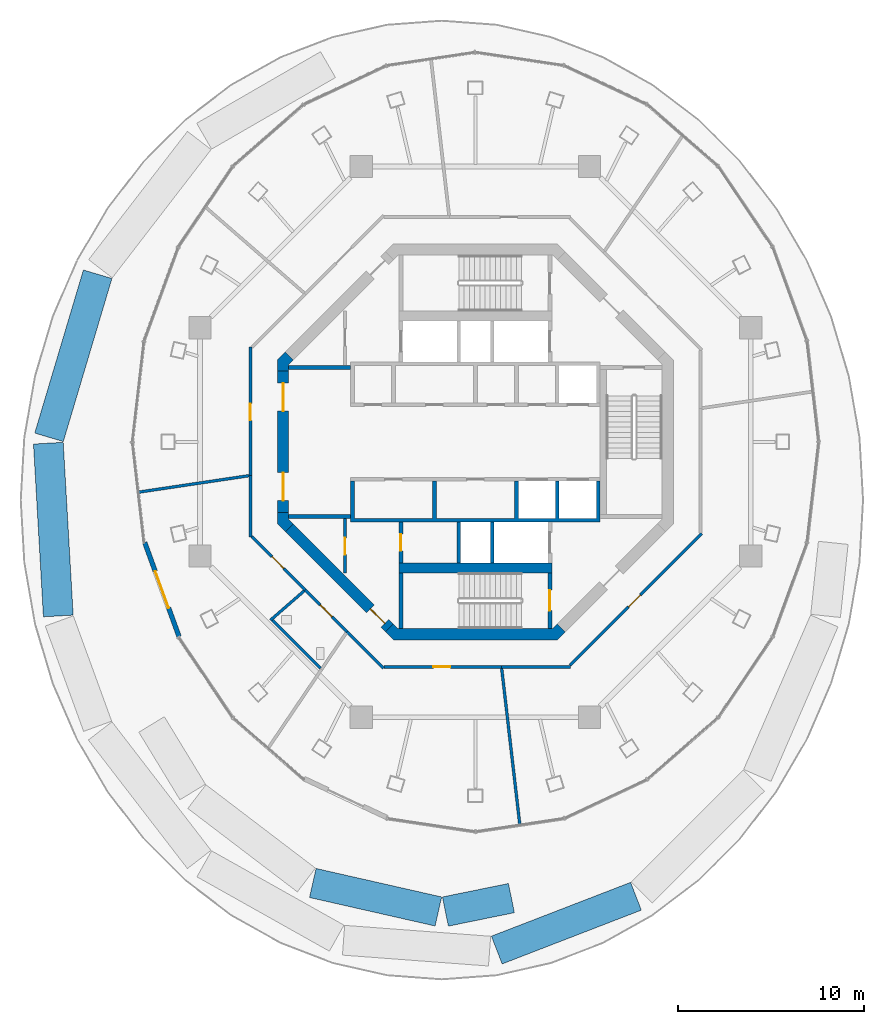
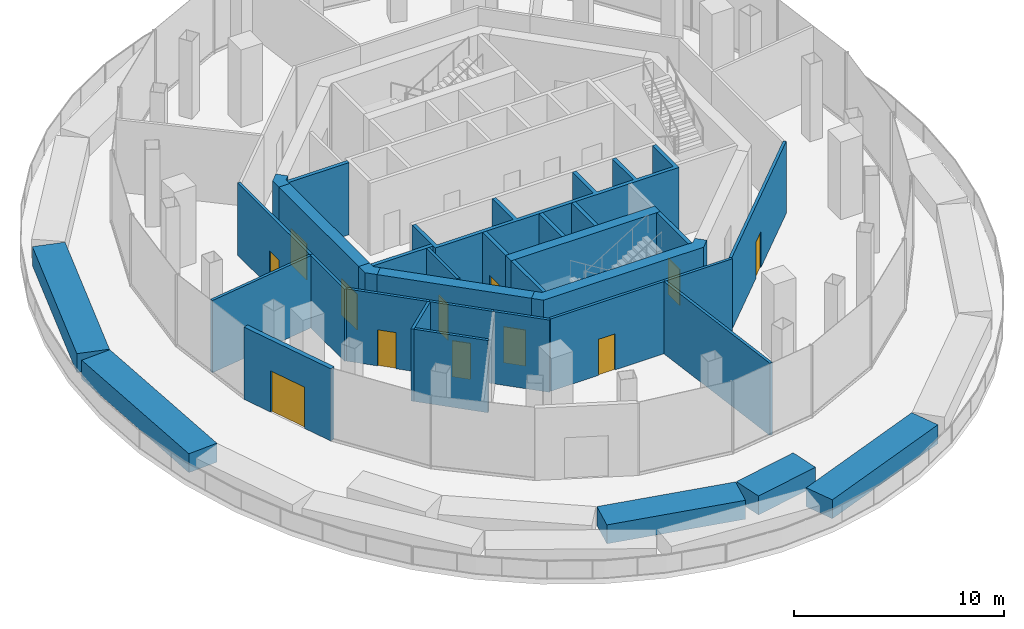
# One storey, part 7 of 12: 33 walls, 12 doors, 12 openings.
"""IFC4 building model written with IfcOpenShell, lengths in metres."""

from ifc_helpers import new_model, si_unit, direction, frame, frame_2d, origin, place, context, subcontext, project, spatial, polyline, rectangle, outline, extrude, material, layer, layer_set, type_object, element, fill, save


model = new_model("IFC4")

# Units and contexts
model_context = context("Model", 3, precision=1e-05, world=origin(), true_north=direction((0.0, 1.0)))
body_context = subcontext(model_context, "Body", "Model", "MODEL_VIEW")
ifc_project = project(units=[si_unit("LENGTHUNIT", "METRE"), si_unit("AREAUNIT", "SQUARE_METRE"), si_unit("VOLUMEUNIT", "CUBIC_METRE"), si_unit("PLANEANGLEUNIT", "RADIAN"), si_unit("MASSUNIT", "GRAM", prefix="KILO")], contexts=[model_context])

# Site, building, storey
site_placement = place(None, origin())
site = spatial("IfcSite", under=ifc_project, at=site_placement, CompositionType="ELEMENT")
building_placement = place(site_placement, origin())
building = spatial("IfcBuilding", under=site, at=building_placement, Name="Nagisa Residences", CompositionType="ELEMENT")
storey_placement = place(building_placement, frame((0.0, 0.0, 315.89990234375)))
storey = spatial("IfcBuildingStorey", under=building, at=storey_placement, Name="L78", CompositionType="ELEMENT", Elevation=315.89990234375)

# Wall, opening, door
ifc_material_1 = material(Name="Precast concrete C40/50", Category="concrete")
ifc_layer_1 = layer(ifc_material_1, 0.25)
ifc_layer_set_1 = layer_set([ifc_layer_1], Name="BALCONY DOOR WALL 250")
wall_type_1 = type_object("IfcWallType", Name="BALCONY DOOR WALL 250", PredefinedType="SOLIDWALL", material=ifc_layer_set_1)
wall_1_placement = place(storey_placement, frame((-15.904052734375, -10.45703125, 0.0), z_axis=(0.0, 0.0, 1.0), x_axis=(-0.342797263009, 0.939409408338, 0.0)))
wall_1 = element("IfcWall", 1, at=wall_1_placement, inside=storey, type_object=wall_type_1, Name="wall:L78:bay13", PredefinedType="SOLIDWALL", context=body_context, shape_type="SweptSolid", body=[
    extrude(rectangle(XDim=5.391357421875, YDim=0.25, at=frame_2d((2.69580078125, 0.0))), origin(), (0.0, 0.0, 1.0), 4.2001953125),
])
opening_1_placement = place(wall_1_placement, frame((1.645751953125, 0.0, 0.0)))
opening_1 = element("IfcOpeningElement", 2, at=opening_1_placement, cuts=wall_1, Name="Opening BD-L78-02", PredefinedType="OPENING", context=body_context, shape_type="SweptSolid", body=[
    extrude(rectangle(XDim=2.10009765625, YDim=2.39990234375, at=frame_2d((1.050048828125, 1.199951171875))), frame((0.0, 0.135009765625, 0.0), z_axis=(0.0, -1.0, 0.0), x_axis=(1.0, 0.0, 0.0)), (0.0, 0.0, 1.0), 0.27001953125),
])
ifc_material_2 = material(Name="Aluminium and clear glass", Category="aluminium")
door_type_1 = type_object("IfcDoorType", Name="BALCONY SLIDING DOOR 2100x2400", OperationType="SLIDING_TO_LEFT", PredefinedType="DOOR", material=ifc_material_2)
door_1_placement = place(opening_1_placement, origin())
door_1 = element("IfcDoor", 3, at=door_1_placement, inside=storey, type_object=door_type_1, Name="door:L78:bay13", OperationType="SLIDING_TO_LEFT", OverallHeight=2.39990234375, OverallWidth=2.10009765625, PredefinedType="DOOR", context=body_context, shape_type="SweptSolid", body=[
    extrude(rectangle(XDim=2.10009765625, YDim=2.39990234375, at=frame_2d((1.050048828125, 1.199951171875))), frame((0.0, 0.02490234375, 0.0), z_axis=(0.0, -1.0, 0.0), x_axis=(1.0, 0.0, 0.0)), (0.0, 0.0, 1.0), 0.050048828125),
])
fill(opening_1, door_1)

ifc_material_3 = material(Name="Gypsum board on steel studs", Category="steel")
ifc_layer_2 = layer(ifc_material_3, 0.14990234375)
ifc_layer_set_2 = layer_set([ifc_layer_2], Name="Core partition 150")
wall_type_2 = type_object("IfcWallType", Name="Core partition 150", PredefinedType="PARTITIONING", material=ifc_layer_set_2)
wall_2_placement = place(storey_placement, frame((-7.0, -7.02685546875, 0.0), z_axis=(0.0, 0.0, 1.0), x_axis=(0.0, 1.0, 0.0)))
wall_2 = element("IfcWall", 4, at=wall_2_placement, inside=storey, type_object=wall_type_2, Name="wall:L78:SWp", PredefinedType="PARTITIONING", context=body_context, shape_type="SweptSolid", body=[
    extrude(rectangle(XDim=2.9267578125, YDim=0.14990234375, at=frame_2d((1.46337890625, 0.0))), origin(), (0.0, 0.0, 1.0), 4.2001953125),
])
opening_2_placement = place(wall_2_placement, frame((0.97607421875, 0.0, 0.0)))
opening_2 = element("IfcOpeningElement", 5, at=opening_2_placement, cuts=wall_2, Name="Opening L78-C11", PredefinedType="OPENING", context=body_context, shape_type="SweptSolid", body=[
    extrude(rectangle(XDim=0.89990234375, YDim=2.10009765625, at=frame_2d((0.449951171875, 1.050048828125))), frame((0.0, 0.0849609375, 0.0), z_axis=(0.0, -1.0, 0.0), x_axis=(1.0, 0.0, 0.0)), (0.0, 0.0, 1.0), 0.169921875),
])
ifc_material_4 = material(Name="Steel fire door", Category="steel")
door_type_2 = type_object("IfcDoorType", Name="Fire door EI30 900x2100 single swing", OperationType="NOTDEFINED", PredefinedType="DOOR", material=ifc_material_4)
door_2_placement = place(opening_2_placement, origin())
door_2 = element("IfcDoor", 6, at=door_2_placement, inside=storey, type_object=door_type_2, Name="Refuse room door L78", OperationType="SINGLE_SWING_LEFT", OverallHeight=2.10009765625, OverallWidth=0.89990234375, PredefinedType="DOOR", context=body_context, shape_type="SweptSolid", body=[
    extrude(rectangle(XDim=0.89990234375, YDim=2.10009765625, at=frame_2d((0.449951171875, 1.050048828125))), frame((0.0, 0.02490234375, 0.0), z_axis=(0.0, -1.0, 0.0), x_axis=(1.0, 0.0, 0.0)), (0.0, 0.0, 1.0), 0.050048828125),
])
fill(opening_2, door_2)

# Walls
ifc_material_5 = material(Name="Gypsum board on steel studs", Category="steel")
ifc_layer_3 = layer(ifc_material_5, 0.199951171875)
ifc_layer_set_3 = layer_set([ifc_layer_3], Name="Core partition 200")
wall_type_3 = type_object("IfcWallType", Name="Core partition 200", PredefinedType="PARTITIONING", material=ifc_layer_set_3)
for number, where, z_axis, x_axis, name in (
    (7, (-10.024658203125, -4.0, 0.0), (0.0, 0.0, 1.0), (1.0, 0.0, 0.0), "wall:L78:PSW"),
    (8, (-10.024658203125, 4.0, 0.0), (0.0, 0.0, 1.0), (1.0, 0.0, 0.0), "wall:L78:PNW"),
):
    element("IfcWall", number, at=place(storey_placement, frame(where, z_axis=z_axis, x_axis=x_axis)), inside=storey, type_object=wall_type_3, Name=name, PredefinedType="PARTITIONING", context=body_context, shape_type="SweptSolid", body=[
        extrude(rectangle(XDim=3.32470703125, YDim=0.199951171875, at=frame_2d((1.662353515625, 0.0))), origin(), (0.0, 0.0, 1.0), 4.2001953125),
    ])

# Wall, openings, doors
ifc_material_6 = material(Name="Concrete C60", Category="concrete")
ifc_layer_4 = layer(ifc_material_6, 0.60009765625)
ifc_layer_set_4 = layer_set([ifc_layer_4], Name="Core shear wall 600")
wall_type_4 = type_object("IfcWallType", Name="Core shear wall 600", PredefinedType="SHEAR", material=ifc_layer_set_4)
wall_3_placement = place(storey_placement, frame((-10.32470703125, 3.80078125, 0.0), z_axis=(0.0, 0.0, 1.0), x_axis=(0.0, -1.0, 0.0)))
wall_3 = element("IfcWall", 9, at=wall_3_placement, inside=storey, type_object=wall_type_4, Name="wall:L78:core:flat4", PredefinedType="SHEAR", context=body_context, shape_type="SweptSolid", body=[
    extrude(rectangle(XDim=7.6015625, YDim=0.60009765625, at=frame_2d((3.80078125, 0.0))), origin(), (0.0, 0.0, 1.0), 4.2001953125),
])
opening_3_placement = place(wall_3_placement, frame((0.65087890625, 0.0, 0.0)))
opening_3 = element("IfcOpeningElement", 10, at=opening_3_placement, cuts=wall_3, Name="Opening L78-C21", PredefinedType="OPENING", context=body_context, shape_type="SweptSolid", body=[
    extrude(rectangle(XDim=1.5, YDim=2.10009765625, at=frame_2d((0.75, 1.050048828125))), frame((0.0, 0.31005859375, 0.0), z_axis=(0.0, -1.0, 0.0), x_axis=(1.0, 0.0, 0.0)), (0.0, 0.0, 1.0), 0.6201171875),
])
opening_4_placement = place(wall_3_placement, frame((5.450927734375, 0.0, 0.0)))
opening_4 = element("IfcOpeningElement", 11, at=opening_4_placement, cuts=wall_3, Name="Opening L78-C22", PredefinedType="OPENING", context=body_context, shape_type="SweptSolid", body=[
    extrude(rectangle(XDim=1.5, YDim=2.10009765625, at=frame_2d((0.75, 1.050048828125))), frame((0.0, 0.31005859375, 0.0), z_axis=(0.0, -1.0, 0.0), x_axis=(1.0, 0.0, 0.0)), (0.0, 0.0, 1.0), 0.6201171875),
])
ifc_material_7 = material(Name="Steel fire door", Category="steel")
door_type_3 = type_object("IfcDoorType", Name="Fire door EI60 1500x2100 double door single swing", OperationType="DOUBLE_DOOR_SINGLE_SWING", PredefinedType="DOOR", material=ifc_material_7)
door_3_placement = place(opening_3_placement, origin())
door_3 = element("IfcDoor", 12, at=door_3_placement, inside=storey, type_object=door_type_3, Name="Lift lobby door L78 1", OperationType="DOUBLE_DOOR_SINGLE_SWING", OverallHeight=2.10009765625, OverallWidth=1.5, PredefinedType="DOOR", context=body_context, shape_type="SweptSolid", body=[
    extrude(rectangle(XDim=1.5, YDim=2.10009765625, at=frame_2d((0.75, 1.050048828125))), frame((0.0, 0.02490234375, 0.0), z_axis=(0.0, -1.0, 0.0), x_axis=(1.0, 0.0, 0.0)), (0.0, 0.0, 1.0), 0.050048828125),
])
fill(opening_3, door_3)
door_4_placement = place(opening_4_placement, origin())
door_4 = element("IfcDoor", 13, at=door_4_placement, inside=storey, type_object=door_type_3, Name="Lift lobby door L78 2", OperationType="DOUBLE_DOOR_SINGLE_SWING", OverallHeight=2.10009765625, OverallWidth=1.5, PredefinedType="DOOR", context=body_context, shape_type="SweptSolid", body=[
    extrude(rectangle(XDim=1.5, YDim=2.10009765625, at=frame_2d((0.75, 1.050048828125))), frame((0.0, 0.02490234375, 0.0), z_axis=(0.0, -1.0, 0.0), x_axis=(1.0, 0.0, 0.0)), (0.0, 0.0, 1.0), 0.050048828125),
])
fill(opening_4, door_4)

# Wall, opening, door
wall_4_placement = place(storey_placement, frame((-9.98828125, -4.613037109375, 0.0), z_axis=(0.0, 0.0, 1.0), x_axis=(0.707106781187, -0.707106781187, 0.0)))
wall_4 = element("IfcWall", 14, at=wall_4_placement, inside=storey, type_object=wall_type_4, Name="wall:L78:core:flat5", PredefinedType="SHEAR", context=body_context, shape_type="SweptSolid", body=[
    extrude(rectangle(XDim=7.601806640625, YDim=0.60009765625, at=frame_2d((3.80078125, 0.0))), origin(), (0.0, 0.0, 1.0), 4.2001953125),
])
opening_5_placement = place(wall_4_placement, frame((6.15087890625, 0.0, 0.0)))
opening_5 = element("IfcOpeningElement", 15, at=opening_5_placement, cuts=wall_4, Name="Opening L78-C24", PredefinedType="OPENING", context=body_context, shape_type="SweptSolid", body=[
    extrude(rectangle(XDim=1.10009765625, YDim=2.10009765625, at=frame_2d((0.550048828125, 1.050048828125))), frame((0.0, 0.31005859375, 0.0), z_axis=(0.0, -1.0, 0.0), x_axis=(1.0, 0.0, 0.0)), (0.0, 0.0, 1.0), 0.6201171875),
])
ifc_material_8 = material(Name="Steel fire door", Category="steel")
door_type_4 = type_object("IfcDoorType", Name="Fire door EI60 1100x2100 single swing", OperationType="NOTDEFINED", PredefinedType="DOOR", material=ifc_material_8)
door_5_placement = place(opening_5_placement, origin())
door_5 = element("IfcDoor", 16, at=door_5_placement, inside=storey, type_object=door_type_4, Name="Housekeeping lobby door L78", OperationType="SINGLE_SWING_LEFT", OverallHeight=2.10009765625, OverallWidth=1.10009765625, PredefinedType="DOOR", context=body_context, shape_type="SweptSolid", body=[
    extrude(rectangle(XDim=1.10009765625, YDim=2.10009765625, at=frame_2d((0.550048828125, 1.050048828125))), frame((0.0, 0.02490234375, 0.0), z_axis=(0.0, -1.0, 0.0), x_axis=(1.0, 0.0, 0.0)), (0.0, 0.0, 1.0), 0.050048828125),
])
fill(opening_5, door_5)

# Walls
wall_5_placement = place(storey_placement, origin())
element("IfcWall", 17, at=wall_5_placement, inside=storey, type_object=wall_type_4, Name="wall:L78:core:pier4", PredefinedType="SHEAR", context=body_context, shape_type="SweptSolid", body=[
    extrude(outline(polyline([(-10.62451171875, -3.80078125), (-10.024658203125, -3.80078125), (-10.024658203125, -4.15234375), (-9.776123046875, -4.40087890625), (-10.200439453125, -4.8251953125), (-10.62451171875, -4.40087890625), (-10.62451171875, -3.80078125)])), origin(), (0.0, 0.0, 1.0), 4.2001953125),
])
wall_6_placement = place(storey_placement, origin())
element("IfcWall", 18, at=wall_6_placement, inside=storey, type_object=wall_type_4, Name="wall:L78:core:pier3", PredefinedType="SHEAR", context=body_context, shape_type="SweptSolid", body=[
    extrude(outline(polyline([(-10.200439453125, 4.8251953125), (-9.776123046875, 4.40087890625), (-10.024658203125, 4.15234375), (-10.024658203125, 3.80078125), (-10.62451171875, 3.80078125), (-10.62451171875, 4.40087890625), (-10.200439453125, 4.8251953125)])), origin(), (0.0, 0.0, 1.0), 4.2001953125),
])
wall_7_placement = place(storey_placement, origin())
element("IfcWall", 19, at=wall_7_placement, inside=storey, type_object=wall_type_4, Name="wall:L78:core:flat6", PredefinedType="SHEAR", context=body_context, shape_type="SweptSolid", body=[
    extrude(outline(polyline([(-4.15234375, -10.024658203125), (4.15234375, -10.024658203125), (4.40087890625, -9.776123046875), (4.8251953125, -10.200439453125), (4.40087890625, -10.62451171875), (-4.40087890625, -10.62451171875), (-4.8251953125, -10.200439453125), (-4.40087890625, -9.776123046875), (-4.15234375, -10.024658203125)])), origin(), (0.0, 0.0, 1.0), 4.2001953125),
])

# Wall, opening, door
ifc_material_9 = material(Name="Concrete C60", Category="concrete")
ifc_layer_5 = layer(ifc_material_9, 0.199951171875)
ifc_layer_set_5 = layer_set([ifc_layer_5], Name="Lift shaft wall 200")
wall_type_5 = type_object("IfcWallType", Name="Lift shaft wall 200", PredefinedType="SOLIDWALL", material=ifc_layer_set_5)
wall_8_placement = place(storey_placement, frame((-4.0, -6.5, 0.0), z_axis=(0.0, 0.0, 1.0), x_axis=(0.0, 1.0, 0.0)))
wall_8 = element("IfcWall", 20, at=wall_8_placement, inside=storey, type_object=wall_type_5, Name="wall:L78:Sb4", PredefinedType="SOLIDWALL", context=body_context, shape_type="SweptSolid", body=[
    extrude(rectangle(XDim=2.199951171875, YDim=0.199951171875, at=frame_2d((1.10009765625, 0.0))), origin(), (0.0, 0.0, 1.0), 4.2001953125),
])
opening_6_placement = place(wall_8_placement, frame((0.64990234375, 0.0, 0.0)))
opening_6 = element("IfcOpeningElement", 21, at=opening_6_placement, cuts=wall_8, Name="Opening L78-C12", PredefinedType="OPENING", context=body_context, shape_type="SweptSolid", body=[
    extrude(rectangle(XDim=0.89990234375, YDim=2.10009765625, at=frame_2d((0.449951171875, 1.050048828125))), frame((0.0, 0.10986328125, 0.0), z_axis=(0.0, -1.0, 0.0), x_axis=(1.0, 0.0, 0.0)), (0.0, 0.0, 1.0), 0.219970703125),
])
door_6_placement = place(opening_6_placement, frame((0.89990234375, 0.0, 0.0), x_axis=(-1.0, 0.0, 0.0)))
door_6 = element("IfcDoor", 22, at=door_6_placement, inside=storey, type_object=door_type_2, Name="Refuse room door L78", OperationType="SINGLE_SWING_LEFT", OverallHeight=2.10009765625, OverallWidth=0.89990234375, PredefinedType="DOOR", context=body_context, shape_type="SweptSolid", body=[
    extrude(rectangle(XDim=0.89990234375, YDim=2.10009765625, at=frame_2d((0.449951171875, 1.050048828125))), frame((0.0, 0.02490234375, 0.0), z_axis=(0.0, -1.0, 0.0), x_axis=(1.0, 0.0, 0.0)), (0.0, 0.0, 1.0), 0.050048828125),
])
fill(opening_6, door_6)

# Walls
for number, where, z_axis, x_axis, name in (
    (23, (-0.89990234375, -6.5, 0.0), (0.0, 0.0, 1.0), (0.0, 1.0, 0.0), "wall:L78:Sb1"),
    (24, (0.89990234375, -6.5, 0.0), (0.0, 0.0, 1.0), (0.0, 1.0, 0.0), "wall:L78:Sb2"),
):
    element("IfcWall", number, at=place(storey_placement, frame(where, z_axis=z_axis, x_axis=x_axis)), inside=storey, type_object=wall_type_5, Name=name, PredefinedType="SOLIDWALL", context=body_context, shape_type="SweptSolid", body=[
        extrude(rectangle(XDim=2.199951171875, YDim=0.199951171875, at=frame_2d((1.10009765625, 0.0))), origin(), (0.0, 0.0, 1.0), 4.2001953125),
    ])
wall_9_placement = place(storey_placement, origin())
element("IfcWall", 25, at=wall_9_placement, inside=storey, type_object=wall_type_5, Name="wall:L78:Sback", PredefinedType="SOLIDWALL", context=body_context, shape_type="SweptSolid", body=[
    extrude(outline(polyline([(-6.699951171875, -2.10009765625), (-6.5, -2.10009765625), (-6.5, -4.10009765625), (-2.300048828125, -4.10009765625), (-2.300048828125, -2.10009765625), (-2.10009765625, -2.10009765625), (-2.10009765625, -4.10009765625), (2.10009765625, -4.10009765625), (2.10009765625, -2.10009765625), (2.300048828125, -2.10009765625), (2.300048828125, -4.10009765625), (4.300048828125, -4.10009765625), (4.300048828125, -2.10009765625), (4.5, -2.10009765625), (4.5, -4.10009765625), (6.5, -4.10009765625), (6.5, -2.10009765625), (6.699951171875, -2.10009765625), (6.699951171875, -4.300048828125), (-6.699951171875, -4.300048828125), (-6.699951171875, -2.10009765625)])), origin(), (0.0, 0.0, 1.0), 4.2001953125),
])
ifc_material_10 = material(Name="Precast concrete C30/37", Category="concrete")
ifc_layer_6 = layer(ifc_material_10, 1.60009765625)
ifc_layer_set_6 = layer_set([ifc_layer_6], Name="PLANTER")
wall_type_6 = type_object("IfcWallType", Name="PLANTER", PredefinedType="SOLIDWALL", material=ifc_layer_set_6)
wall_10_placement = place(storey_placement, frame((-22.88720703125, 0.245849609375, 0.0), z_axis=(0.0, 0.0, 1.0), x_axis=(0.285763792332, 0.958300086086, 0.0)))
element("IfcWall", 26, at=wall_10_placement, inside=storey, type_object=wall_type_6, Name="planter:L78:garden001", PredefinedType="SOLIDWALL", context=body_context, shape_type="SweptSolid", body=[
    extrude(rectangle(XDim=9.136474609375, YDim=1.60009765625, at=frame_2d((4.568359375, 0.0))), origin(), (0.0, 0.0, 1.0), 1.10009765625),
])
wall_11_placement = place(storey_placement, frame((-22.3896484375, -9.34375, 0.0), z_axis=(0.0, 0.0, 1.0), x_axis=(-0.057466595483, 0.998347429708, 0.0)))
element("IfcWall", 27, at=wall_11_placement, inside=storey, type_object=wall_type_6, Name="planter:L78:garden002", PredefinedType="SOLIDWALL", context=body_context, shape_type="SweptSolid", body=[
    extrude(rectangle(XDim=9.291259765625, YDim=1.60009765625, at=frame_2d((4.6455078125, 0.0))), origin(), (0.0, 0.0, 1.0), 1.10009765625),
])
wall_12_placement = place(storey_placement, frame((8.618896484375, -24.3876953125, 0.0), z_axis=(0.0, 0.0, 1.0), x_axis=(-0.932751325008, -0.360520409542, 0.0)))
element("IfcWall", 28, at=wall_12_placement, inside=storey, type_object=wall_type_6, Name="planter:L78:garden009", PredefinedType="SOLIDWALL", context=body_context, shape_type="SweptSolid", body=[
    extrude(rectangle(XDim=8.01123046875, YDim=1.60009765625, at=frame_2d((4.005615234375, 0.0))), origin(), (0.0, 0.0, 1.0), 1.10009765625),
])
wall_13_placement = place(storey_placement, frame((-1.987548828125, -25.205078125, 0.0), z_axis=(0.0, 0.0, 1.0), x_axis=(-0.975228850565, 0.221198302493, 0.0)))
element("IfcWall", 29, at=wall_13_placement, inside=storey, type_object=wall_type_6, Name="planter:L78:garden115", PredefinedType="SOLIDWALL", context=body_context, shape_type="SweptSolid", body=[
    extrude(rectangle(XDim=6.91357421875, YDim=1.60009765625, at=frame_2d((3.456787109375, 0.0))), origin(), (0.0, 0.0, 1.0), 1.10009765625),
])
wall_14_placement = place(storey_placement, frame((1.933837890625, -24.486572265625, 0.0), z_axis=(0.0, 0.0, 1.0), x_axis=(-0.979852591502, -0.199722054183, 0.0)))
element("IfcWall", 30, at=wall_14_placement, inside=storey, type_object=wall_type_6, Name="planter:L78:garden116", PredefinedType="SOLIDWALL", context=body_context, shape_type="SweptSolid", body=[
    extrude(rectangle(XDim=3.618408203125, YDim=1.60009765625, at=frame_2d((1.80908203125, 0.0))), origin(), (0.0, 0.0, 1.0), 1.10009765625),
])
ifc_material_11 = material(Name="Gypsum board on steel studs", Category="steel")
ifc_layer_7 = layer(ifc_material_11, 0.14990234375)
ifc_layer_set_7 = layer_set([ifc_layer_7], Name="Room partition EI60 150")
wall_type_7 = type_object("IfcWallType", Name="Room partition EI60 150", PredefinedType="PARTITIONING", material=ifc_layer_set_7)
wall_15_placement = place(storey_placement, frame((-12.074951171875, -5.107177734375, 0.0), z_axis=(0.0, 0.0, 1.0), x_axis=(0.0, 1.0, 0.0)))
element("IfcWall", 31, at=wall_15_placement, inside=storey, type_object=wall_type_7, Name="wall:L78:am000", PredefinedType="PARTITIONING", context=body_context, shape_type="SweptSolid", body=[
    extrude(rectangle(XDim=3.30615234375, YDim=0.14990234375, at=frame_2d((1.653076171875, 0.0))), origin(), (0.0, 0.0, 1.0), 4.2001953125),
])
wall_16_placement = place(storey_placement, frame((-12.14990234375, -1.812255859375, 0.0), z_axis=(0.0, 0.0, 1.0), x_axis=(-0.989039934914, -0.147648254801, 0.0)))
element("IfcWall", 32, at=wall_16_placement, inside=storey, type_object=wall_type_7, Name="wall:L78:am001", PredefinedType="PARTITIONING", context=body_context, shape_type="SweptSolid", body=[
    extrude(rectangle(XDim=6.002197265625, YDim=0.14990234375, at=frame_2d((3.0009765625, 0.0))), origin(), (0.0, 0.0, 1.0), 4.2001953125),
])

# Wall, opening, door
wall_17_placement = place(storey_placement, frame((-12.074951171875, -1.801025390625, 0.0), z_axis=(0.0, 0.0, 1.0), x_axis=(0.0, 1.0, 0.0)))
wall_17 = element("IfcWall", 33, at=wall_17_placement, inside=storey, type_object=wall_type_7, Name="wall:L78:am002", PredefinedType="PARTITIONING", context=body_context, shape_type="SweptSolid", body=[
    extrude(rectangle(XDim=6.9091796875, YDim=0.14990234375, at=frame_2d((3.45458984375, 0.0))), origin(), (0.0, 0.0, 1.0), 4.2001953125),
])
opening_7_placement = place(wall_17_placement, frame((2.951416015625, 0.0, 0.0)))
opening_7 = element("IfcOpeningElement", 34, at=opening_7_placement, cuts=wall_17, Name="Opening L78-A04", PredefinedType="OPENING", context=body_context, shape_type="SweptSolid", body=[
    extrude(rectangle(XDim=0.89990234375, YDim=2.10009765625, at=frame_2d((0.449951171875, 1.050048828125))), frame((0.0, 0.0849609375, 0.0), z_axis=(0.0, -1.0, 0.0), x_axis=(1.0, 0.0, 0.0)), (0.0, 0.0, 1.0), 0.169921875),
])
door_7_placement = place(opening_7_placement, origin())
door_7 = element("IfcDoor", 35, at=door_7_placement, inside=storey, type_object=door_type_2, Name="Lantern pantry door", OperationType="SINGLE_SWING_RIGHT", OverallHeight=2.10009765625, OverallWidth=0.89990234375, PredefinedType="DOOR", context=body_context, shape_type="SweptSolid", body=[
    extrude(rectangle(XDim=0.89990234375, YDim=2.10009765625, at=frame_2d((0.449951171875, 1.050048828125))), frame((0.0, 0.02490234375, 0.0), z_axis=(0.0, -1.0, 0.0), x_axis=(1.0, 0.0, 0.0)), (0.0, 0.0, 1.0), 0.050048828125),
])
fill(opening_7, door_7)

# Wall
wall_18_placement = place(storey_placement, frame((-11.003662109375, -9.572265625, 0.0), z_axis=(0.0, 0.0, 1.0), x_axis=(0.754472226649, 0.65633197333, 0.0)))
element("IfcWall", 36, at=wall_18_placement, inside=storey, type_object=wall_type_7, Name="wall:L78:am004", PredefinedType="PARTITIONING", context=body_context, shape_type="SweptSolid", body=[
    extrude(rectangle(XDim=2.405517578125, YDim=0.14990234375, at=frame_2d((1.20263671875, 0.0))), origin(), (0.0, 0.0, 1.0), 4.2001953125),
])

# Wall, opening, door
wall_19_placement = place(storey_placement, frame((-9.132080078125, -7.944091796875, 0.0), z_axis=(0.0, 0.0, 1.0), x_axis=(-0.707076684492, 0.7071368766, 0.0)))
wall_19 = element("IfcWall", 37, at=wall_19_placement, inside=storey, type_object=wall_type_7, Name="wall:L78:am005", PredefinedType="PARTITIONING", context=body_context, shape_type="SweptSolid", body=[
    extrude(rectangle(XDim=4.055908203125, YDim=0.14990234375, at=frame_2d((2.02783203125, 0.0))), origin(), (0.0, 0.0, 1.0), 4.2001953125),
])
opening_8_placement = place(wall_19_placement, frame((1.631103515625, 0.0, 0.0)))
opening_8 = element("IfcOpeningElement", 38, at=opening_8_placement, cuts=wall_19, Name="Opening L78-A06", PredefinedType="OPENING", context=body_context, shape_type="SweptSolid", body=[
    extrude(rectangle(XDim=0.89990234375, YDim=2.10009765625, at=frame_2d((0.449951171875, 1.050048828125))), frame((0.0, 0.0849609375, 0.0), z_axis=(0.0, -1.0, 0.0), x_axis=(1.0, 0.0, 0.0)), (0.0, 0.0, 1.0), 0.169921875),
])
door_8_placement = place(opening_8_placement, origin())
door_8 = element("IfcDoor", 39, at=door_8_placement, inside=storey, type_object=door_type_2, Name="Private lounge 4 door", OperationType="SINGLE_SWING_RIGHT", OverallHeight=2.10009765625, OverallWidth=0.89990234375, PredefinedType="DOOR", context=body_context, shape_type="SweptSolid", body=[
    extrude(rectangle(XDim=0.89990234375, YDim=2.10009765625, at=frame_2d((0.449951171875, 1.050048828125))), frame((0.0, 0.02490234375, 0.0), z_axis=(0.0, -1.0, 0.0), x_axis=(1.0, 0.0, 0.0)), (0.0, 0.0, 1.0), 0.050048828125),
])
fill(opening_8, door_8)

# Wall
wall_20_placement = place(storey_placement, frame((-8.31494140625, -12.155029296875, 0.0), z_axis=(0.0, 0.0, 1.0), x_axis=(-0.707106781187, 0.707106781187, 0.0)))
element("IfcWall", 40, at=wall_20_placement, inside=storey, type_object=wall_type_7, Name="wall:L78:am008", PredefinedType="PARTITIONING", context=body_context, shape_type="SweptSolid", body=[
    extrude(rectangle(XDim=3.64697265625, YDim=0.14990234375, at=frame_2d((1.823486328125, 0.0))), origin(), (0.0, 0.0, 1.0), 4.2001953125),
])

# Wall, opening, door
wall_21_placement = place(storey_placement, frame((-6.89111328125, -10.18505859375, 0.0), z_axis=(0.0, 0.0, 1.0), x_axis=(-0.707106781187, 0.707106781187, 0.0)))
wall_21 = element("IfcWall", 41, at=wall_21_placement, inside=storey, type_object=wall_type_7, Name="wall:L78:am010", PredefinedType="PARTITIONING", context=body_context, shape_type="SweptSolid", body=[
    extrude(rectangle(XDim=3.169189453125, YDim=0.14990234375, at=frame_2d((1.58447265625, 0.0))), origin(), (0.0, 0.0, 1.0), 4.2001953125),
])
opening_9_placement = place(wall_21_placement, frame((1.134521484375, 0.0, 0.0)))
opening_9 = element("IfcOpeningElement", 42, at=opening_9_placement, cuts=wall_21, Name="Opening L78-A05", PredefinedType="OPENING", context=body_context, shape_type="SweptSolid", body=[
    extrude(rectangle(XDim=0.89990234375, YDim=2.10009765625, at=frame_2d((0.449951171875, 1.050048828125))), frame((0.0, 0.0849609375, 0.0), z_axis=(0.0, -1.0, 0.0), x_axis=(1.0, 0.0, 0.0)), (0.0, 0.0, 1.0), 0.169921875),
])
door_9_placement = place(opening_9_placement, origin())
door_9 = element("IfcDoor", 43, at=door_9_placement, inside=storey, type_object=door_type_2, Name="Accessible WC door", OperationType="SINGLE_SWING_LEFT", OverallHeight=2.10009765625, OverallWidth=0.89990234375, PredefinedType="DOOR", context=body_context, shape_type="SweptSolid", body=[
    extrude(rectangle(XDim=0.89990234375, YDim=2.10009765625, at=frame_2d((0.449951171875, 1.050048828125))), frame((0.0, 0.02490234375, 0.0), z_axis=(0.0, -1.0, 0.0), x_axis=(1.0, 0.0, 0.0)), (0.0, 0.0, 1.0), 0.050048828125),
])
fill(opening_9, door_9)

# Wall
wall_22_placement = place(storey_placement, frame((-4.926025390625, -12.14990234375, 0.0), z_axis=(0.0, 0.0, 1.0), x_axis=(-0.707150707683, 0.707062851961, 0.0)))
element("IfcWall", 44, at=wall_22_placement, inside=storey, type_object=wall_type_7, Name="wall:L78:am012", PredefinedType="PARTITIONING", context=body_context, shape_type="SweptSolid", body=[
    extrude(rectangle(XDim=2.77880859375, YDim=0.14990234375, at=frame_2d((1.389404296875, 0.0))), origin(), (0.0, 0.0, 1.0), 4.2001953125),
])

# Wall, opening, door
wall_23_placement = place(storey_placement, frame((1.40087890625, -12.074951171875, 0.0), z_axis=(0.0, 0.0, 1.0), x_axis=(-1.0, 0.0, 0.0)))
wall_23 = element("IfcWall", 45, at=wall_23_placement, inside=storey, type_object=wall_type_7, Name="wall:L78:am016", PredefinedType="PARTITIONING", context=body_context, shape_type="SweptSolid", body=[
    extrude(rectangle(XDim=6.2958984375, YDim=0.14990234375, at=frame_2d((3.14794921875, 0.0))), origin(), (0.0, 0.0, 1.0), 4.2001953125),
])
opening_10_placement = place(wall_23_placement, frame((2.7509765625, 0.0, 0.0)))
opening_10 = element("IfcOpeningElement", 46, at=opening_10_placement, cuts=wall_23, Name="Opening L78-A07", PredefinedType="OPENING", context=body_context, shape_type="SweptSolid", body=[
    extrude(rectangle(XDim=0.89990234375, YDim=2.10009765625, at=frame_2d((0.449951171875, 1.050048828125))), frame((0.0, 0.0849609375, 0.0), z_axis=(0.0, -1.0, 0.0), x_axis=(1.0, 0.0, 0.0)), (0.0, 0.0, 1.0), 0.169921875),
])
door_10_placement = place(opening_10_placement, origin())
door_10 = element("IfcDoor", 47, at=door_10_placement, inside=storey, type_object=door_type_2, Name="Private lounge 5 door", OperationType="SINGLE_SWING_LEFT", OverallHeight=2.10009765625, OverallWidth=0.89990234375, PredefinedType="DOOR", context=body_context, shape_type="SweptSolid", body=[
    extrude(rectangle(XDim=0.89990234375, YDim=2.10009765625, at=frame_2d((0.449951171875, 1.050048828125))), frame((0.0, 0.02490234375, 0.0), z_axis=(0.0, -1.0, 0.0), x_axis=(1.0, 0.0, 0.0)), (0.0, 0.0, 1.0), 0.050048828125),
])
fill(opening_10, door_10)

# Walls
wall_24_placement = place(storey_placement, frame((1.40966796875, -12.14990234375, 0.0), z_axis=(0.0, 0.0, 1.0), x_axis=(0.115263493726, -0.993334952075, 0.0)))
element("IfcWall", 48, at=wall_24_placement, inside=storey, type_object=wall_type_7, Name="wall:L78:am017", PredefinedType="PARTITIONING", context=body_context, shape_type="SweptSolid", body=[
    extrude(rectangle(XDim=8.44921875, YDim=0.14990234375, at=frame_2d((4.224609375, 0.0))), origin(), (0.0, 0.0, 1.0), 4.2001953125),
])
wall_25_placement = place(storey_placement, frame((5.108154296875, -12.074951171875, 0.0), z_axis=(0.0, 0.0, 1.0), x_axis=(-1.0, 0.0, 0.0)))
element("IfcWall", 49, at=wall_25_placement, inside=storey, type_object=wall_type_7, Name="wall:L78:am018", PredefinedType="PARTITIONING", context=body_context, shape_type="SweptSolid", body=[
    extrude(rectangle(XDim=3.707275390625, YDim=0.14990234375, at=frame_2d((1.853515625, 0.0))), origin(), (0.0, 0.0, 1.0), 4.2001953125),
])

# Wall, opening, door
wall_26_placement = place(storey_placement, frame((12.14990234375, -4.926025390625, 0.0), z_axis=(0.0, 0.0, 1.0), x_axis=(-0.707057968072, -0.707155590932, 0.0)))
wall_26 = element("IfcWall", 50, at=wall_26_placement, inside=storey, type_object=wall_type_7, Name="wall:L78:am022", PredefinedType="PARTITIONING", context=body_context, shape_type="SweptSolid", body=[
    extrude(rectangle(XDim=10.00341796875, YDim=0.14990234375, at=frame_2d((5.001708984375, 0.0))), origin(), (0.0, 0.0, 1.0), 4.2001953125),
])
opening_11_placement = place(wall_26_placement, frame((4.65771484375, 0.0, 0.0)))
opening_11 = element("IfcOpeningElement", 51, at=opening_11_placement, cuts=wall_26, Name="Opening L78-A08", PredefinedType="OPENING", context=body_context, shape_type="SweptSolid", body=[
    extrude(rectangle(XDim=0.89990234375, YDim=2.10009765625, at=frame_2d((0.449951171875, 1.050048828125))), frame((0.0, 0.0849609375, 0.0), z_axis=(0.0, -1.0, 0.0), x_axis=(1.0, 0.0, 0.0)), (0.0, 0.0, 1.0), 0.169921875),
])
door_11_placement = place(opening_11_placement, origin())
door_11 = element("IfcDoor", 52, at=door_11_placement, inside=storey, type_object=door_type_2, Name="Lantern store door", OperationType="SINGLE_SWING_RIGHT", OverallHeight=2.10009765625, OverallWidth=0.89990234375, PredefinedType="DOOR", context=body_context, shape_type="SweptSolid", body=[
    extrude(rectangle(XDim=0.89990234375, YDim=2.10009765625, at=frame_2d((0.449951171875, 1.050048828125))), frame((0.0, 0.02490234375, 0.0), z_axis=(0.0, -1.0, 0.0), x_axis=(1.0, 0.0, 0.0)), (0.0, 0.0, 1.0), 0.050048828125),
])
fill(opening_11, door_11)

ifc_material_12 = material(Name="Concrete C60", Category="concrete")
ifc_layer_8 = layer(ifc_material_12, 0.199951171875)
ifc_layer_set_8 = layer_set([ifc_layer_8], Name="Stair enclosure wall 200")
wall_type_8 = type_object("IfcWallType", Name="Stair enclosure wall 200", PredefinedType="SOLIDWALL", material=ifc_layer_set_8)
wall_27_placement = place(storey_placement, frame((4.0, -10.024658203125, 0.0), z_axis=(0.0, 0.0, 1.0), x_axis=(0.0, 1.0, 0.0)))
wall_27 = element("IfcWall", 53, at=wall_27_placement, inside=storey, type_object=wall_type_8, Name="wall:L78:SS_e", PredefinedType="SOLIDWALL", context=body_context, shape_type="SweptSolid", body=[
    extrude(rectangle(XDim=3.0, YDim=0.199951171875, at=frame_2d((1.5, 0.0))), origin(), (0.0, 0.0, 1.0), 4.2001953125),
])
opening_12_placement = place(wall_27_placement, frame((0.974609375, 0.0, 0.0)))
opening_12 = element("IfcOpeningElement", 54, at=opening_12_placement, cuts=wall_27, Name="Opening L78-C09", PredefinedType="OPENING", context=body_context, shape_type="SweptSolid", body=[
    extrude(rectangle(XDim=1.10009765625, YDim=2.10009765625, at=frame_2d((0.550048828125, 1.050048828125))), frame((0.0, 0.10986328125, 0.0), z_axis=(0.0, -1.0, 0.0), x_axis=(1.0, 0.0, 0.0)), (0.0, 0.0, 1.0), 0.219970703125),
])
ifc_material_13 = material(Name="Steel fire door", Category="steel")
door_type_5 = type_object("IfcDoorType", Name="Fire door EI90 1100x2100 single swing", OperationType="NOTDEFINED", PredefinedType="DOOR", material=ifc_material_13)
door_12_placement = place(opening_12_placement, origin())
door_12 = element("IfcDoor", 55, at=door_12_placement, inside=storey, type_object=door_type_5, Name="Stair door ST-S L78", OperationType="SINGLE_SWING_LEFT", OverallHeight=2.10009765625, OverallWidth=1.10009765625, PredefinedType="DOOR", context=body_context, shape_type="SweptSolid", body=[
    extrude(rectangle(XDim=1.10009765625, YDim=2.10009765625, at=frame_2d((0.550048828125, 1.050048828125))), frame((0.0, 0.02490234375, 0.0), z_axis=(0.0, -1.0, 0.0), x_axis=(1.0, 0.0, 0.0)), (0.0, 0.0, 1.0), 0.050048828125),
])
fill(opening_12, door_12)

# Walls
wall_28_placement = place(storey_placement, origin())
element("IfcWall", 56, at=wall_28_placement, inside=storey, type_object=wall_type_8, Name="wall:L78:SS_w", PredefinedType="SOLIDWALL", context=body_context, shape_type="SweptSolid", body=[
    extrude(outline(polyline([(-3.89990234375, -10.024658203125), (-4.10009765625, -10.024658203125), (-4.10009765625, -7.024658203125), (-3.89990234375, -7.024658203125), (-3.89990234375, -10.024658203125)])), origin(), (0.0, 0.0, 1.0), 4.2001953125),
])
wall_29_placement = place(storey_placement, origin())
element("IfcWall", 57, at=wall_29_placement, inside=storey, type_object=wall_type_8, Name="wall:L78:SS_n", PredefinedType="SOLIDWALL", context=body_context, shape_type="SweptSolid", body=[
    extrude(outline(polyline([(4.10009765625, -7.024658203125), (-4.10009765625, -7.024658203125), (-4.10009765625, -6.5), (4.10009765625, -6.5), (4.10009765625, -7.024658203125)])), origin(), (0.0, 0.0, 1.0), 4.2001953125),
])

save(model, "model.ifc")
